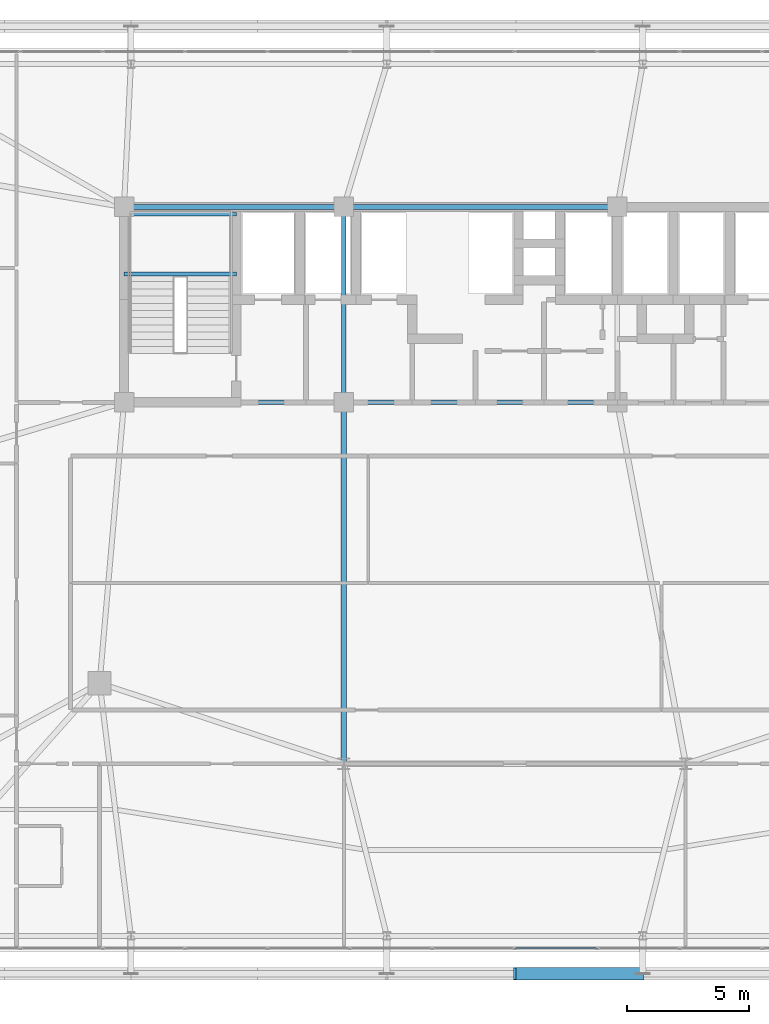
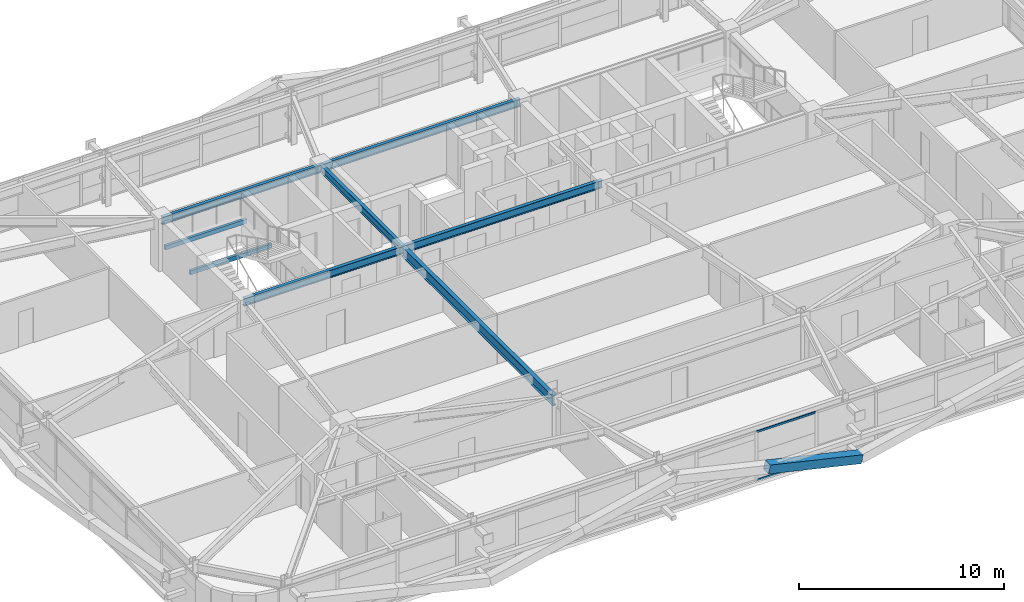
# One storey, part 19 of 59: 8 beams, 3 members, 1 element without a shape of its own.
"""IFC4 building model written with IfcOpenShell, lengths in metres."""

from ifc_helpers import new_model, si_unit, direction, frame, origin, origin_2d, place, context, subcontext, project, spatial, hollow_rectangle, i_section, extrude, source, transform, mapped, material, layer, layer_set, material_profile, profile_set, type_object, element, aggregate, save


model = new_model("IFC4")

# Units and contexts
model_context = context("Model", 3, precision=1e-05, world=origin(), true_north=direction((0.0, 1.0)))
body_context = subcontext(model_context, "Body", "Model", "MODEL_VIEW")
ifc_project = project(units=[si_unit("LENGTHUNIT", "METRE"), si_unit("AREAUNIT", "SQUARE_METRE"), si_unit("VOLUMEUNIT", "CUBIC_METRE"), si_unit("PLANEANGLEUNIT", "RADIAN"), si_unit("MASSUNIT", "GRAM", prefix="KILO")], contexts=[model_context])

# Site, building, storey
site_placement = place(None, origin())
site = spatial("IfcSite", under=ifc_project, at=site_placement, CompositionType="ELEMENT")
building_placement = place(site_placement, origin())
building = spatial("IfcBuilding", under=site, at=building_placement, Name="Taldren Reach Tower", CompositionType="ELEMENT")
storey_placement = place(building_placement, frame((0.0, 0.0, 26.25)))
storey = spatial("IfcBuildingStorey", under=building, at=storey_placement, Name="L07", CompositionType="ELEMENT", Elevation=26.25)

# Beams
ifc_material_1 = material(Name="Steel Gr 350 (350PLUS)", Category="steel")
ifc_material_profile_1 = material_profile(ifc_material_1, i_section(OverallWidth=0.19091796875, OverallDepth=0.4599609375, WebThickness=0.010009765625, FlangeThickness=0.01611328125, at=origin_2d()), Name="460UB82.1")
ifc_profile_set_1 = profile_set([ifc_material_profile_1], Name="Steel Gr 350 (350PLUS)")
beam_type_1 = type_object("IfcBeamType", Name="BM-UB460A", PredefinedType="BEAM", material=ifc_profile_set_1)
shared_shape_1 = source(origin(), body_context, "Body", "SweptSolid", [
    extrude(i_section(OverallWidth=0.19091796875, OverallDepth=0.4599609375, WebThickness=0.010009765625, FlangeThickness=0.01611328125, at=origin_2d()), origin(), (0.0, 0.0, 1.0), 9.0),
])
for number, where, z_axis, x_axis, name in (
    (1, (19.0, 24.0, 2.699951171875), (1.0, 0.0, 0.0), (0.0, 1.0, 0.0), "Core-spine girder L07-SP01"),
    (2, (19.0, 32.0, 2.699951171875), (1.0, 0.0, 0.0), (0.0, 1.0, 0.0), "Core-spine girder L07-SP04"),
):
    element("IfcBeam", number, at=place(storey_placement, frame(where, z_axis=z_axis, x_axis=x_axis)), inside=storey, type_object=beam_type_1, Name=name, PredefinedType="BEAM", context=body_context, shape_type="MappedRepresentation", body=[
        mapped(shared_shape_1, transform((0.0, 0.0, 0.0), scale=1.0)),
    ])
shared_shape_2 = source(origin(), body_context, "Body", "SweptSolid", [
    extrude(i_section(OverallWidth=0.19091796875, OverallDepth=0.4599609375, WebThickness=0.010009765625, FlangeThickness=0.01611328125, at=origin_2d()), origin(), (0.0, 0.0, 1.0), 11.199951171875),
])
for number, where, z_axis, x_axis, name in (
    (3, (28.0, 24.0, 2.699951171875), (1.0, 0.0, 0.0), (0.0, 1.0, 0.0), "Core-spine girder L07-SP02"),
    (4, (28.0, 32.0, 2.699951171875), (1.0, 0.0, 0.0), (0.0, 1.0, 0.0), "Core-spine girder L07-SP05"),
):
    element("IfcBeam", number, at=place(storey_placement, frame(where, z_axis=z_axis, x_axis=x_axis)), inside=storey, type_object=beam_type_1, Name=name, PredefinedType="BEAM", context=body_context, shape_type="MappedRepresentation", body=[
        mapped(shared_shape_2, transform((0.0, 0.0, 0.0), scale=1.0)),
    ])
shared_shape_3 = source(origin(), body_context, "Body", "SweptSolid", [
    extrude(i_section(OverallWidth=0.19091796875, OverallDepth=0.4599609375, WebThickness=0.010009765625, FlangeThickness=0.01611328125, at=origin_2d()), origin(), (0.0, 0.0, 1.0), 8.0),
])
beam_1_placement = place(storey_placement, frame((28.0, 24.0, 2.699951171875), z_axis=(0.0, 1.0, 0.0), x_axis=(-1.0, 0.0, 0.0)))
element("IfcBeam", 5, at=beam_1_placement, inside=storey, type_object=beam_type_1, Name="Core-spine girder L07-SP07", PredefinedType="BEAM", context=body_context, shape_type="MappedRepresentation", body=[
    mapped(shared_shape_3, transform((0.0, 0.0, 0.0), scale=1.0)),
])
ifc_material_profile_2 = material_profile(ifc_material_1, i_section(OverallWidth=0.22802734375, OverallDepth=0.60205078125, WebThickness=0.010498046875, FlangeThickness=0.014892578125, at=origin_2d()), Name="610UB101")
ifc_profile_set_2 = profile_set([ifc_material_profile_2], Name="Steel Gr 350 (350PLUS)")
beam_type_2 = type_object("IfcBeamType", Name="BM-UB610B", PredefinedType="BEAM", material=ifc_profile_set_2)
shared_shape_4 = source(origin(), body_context, "Body", "SweptSolid", [
    extrude(i_section(OverallWidth=0.22802734375, OverallDepth=0.60205078125, WebThickness=0.010498046875, FlangeThickness=0.014892578125, at=origin_2d()), origin(), (0.0, 0.0, 1.0), 14.800048828125),
])
beam_2_placement = place(storey_placement, frame((28.0, 24.0, 2.62890625), z_axis=(0.0, -1.0, 0.0), x_axis=(1.0, 0.0, 0.0)))
element("IfcBeam", 6, at=beam_2_placement, inside=storey, type_object=beam_type_2, Name="Core-spine girder L07-SP14", PredefinedType="BEAM", context=body_context, shape_type="MappedRepresentation", body=[
    mapped(shared_shape_4, transform((0.0, 0.0, 0.0), scale=1.0)),
])

# Member
ifc_material_2 = material(Name="Steel Gr 450 (C450L0)", Category="steel")
ifc_material_profile_3 = material_profile(ifc_material_2, hollow_rectangle(XDim=0.510009765625, YDim=0.510009765625, WallThickness=0.02001953125, at=origin_2d()), Name="510x510x20.0SHS")
ifc_profile_set_3 = profile_set([ifc_material_profile_3], Name="Steel Gr 450 (C450L0)")
member_type_1 = type_object("IfcMemberType", Name="MB-EXO508", PredefinedType="BRACE", material=ifc_profile_set_3)
shared_shape_5 = source(origin(), body_context, "Body", "SweptSolid", [
    extrude(hollow_rectangle(XDim=0.510009765625, YDim=0.510009765625, WallThickness=0.02001953125, at=origin_2d()), origin(), (0.0, 0.0, 1.0), 5.37890625),
])
member_1_placement = place(storey_placement, frame((40.239990234375, 0.60009765625, 0.219970703125), z_axis=(-0.97415197996, 0.0, 0.225893603143), x_axis=(0.0, -1.0, 0.0)))
element("IfcMember", 7, at=member_1_placement, inside=storey, type_object=member_type_1, Name="Exoskeleton Diagrid Brace B1-S3 L07", PredefinedType="BRACE", context=body_context, shape_type="MappedRepresentation", body=[
    mapped(shared_shape_5, transform((0.0, 0.0, 0.0), scale=1.0)),
])

# Curtain wall, members
ifc_material_3 = material(Name="Aluminium and Low-E Glass Unitised System", Category="aluminium")
ifc_layer = layer(ifc_material_3, 0.159912109375)
ifc_layer_set = layer_set([ifc_layer], Name="Aluminium and Low-E Glass Unitised System")
curtain_wall_type = type_object("IfcCurtainWallType", Name="CW-SYS-2", PredefinedType="NOTDEFINED", material=ifc_layer_set)
curtain_wall_placement = place(storey_placement, origin())
curtain_wall = element("IfcCurtainWall", 8, at=curtain_wall_placement, inside=storey, type_object=curtain_wall_type, Name="Unitised curtain wall CW-L07-S", PredefinedType="NOTDEFINED")
ifc_material_4 = material(Name="Anodised Aluminium 6063-T6", Category="aluminium")
ifc_material_profile_4 = material_profile(ifc_material_4, hollow_rectangle(XDim=0.054931640625, YDim=0.1201171875, WallThickness=0.0029296875, at=origin_2d()), Name="ALU-120x55x3RHS")
ifc_profile_set_4 = profile_set([ifc_material_profile_4], Name="Anodised Aluminium 6063-T6")
member_type_2 = type_object("IfcMemberType", Name="CW-TRN-135", PredefinedType="USERDEFINED", material=ifc_profile_set_4)
shared_shape_6 = source(origin(), body_context, "Body", "SweptSolid", [
    extrude(hollow_rectangle(XDim=0.054931640625, YDim=0.1201171875, WallThickness=0.0029296875, at=origin_2d()), origin(), (0.0, 0.0, 1.0), 3.31005859375),
])
member_2_placement = place(storey_placement, frame((35.032470703125, 1.639892578125, 0.027587890625), z_axis=(1.0, 0.0, 0.0), x_axis=(0.0, 1.0, 0.0)))
member_2 = element("IfcMember", 9, at=member_2_placement, type_object=member_type_2, Name="CW-2 transom 9.1", ObjectType="TRANSOM", PredefinedType="USERDEFINED", context=body_context, shape_type="MappedRepresentation", body=[
    mapped(shared_shape_6, transform((0.0, 0.0, 0.0), scale=1.0)),
])
member_3_placement = place(storey_placement, frame((35.032470703125, 1.639892578125, 2.902587890625), z_axis=(1.0, 0.0, 0.0), x_axis=(0.0, 1.0, 0.0)))
member_3 = element("IfcMember", 10, at=member_3_placement, type_object=member_type_2, Name="CW-2 transom 9.2", ObjectType="TRANSOM", PredefinedType="USERDEFINED", context=body_context, shape_type="MappedRepresentation", body=[
    mapped(shared_shape_6, transform((0.0, 0.0, 0.0), scale=1.0)),
])
aggregate(curtain_wall, [member_2, member_3])

# Beams
ifc_material_5 = material(Name="Steel Gr 350 (C350L0)", Category="steel")
ifc_material_profile_5 = material_profile(ifc_material_5, hollow_rectangle(XDim=0.14990234375, YDim=0.25, WallThickness=0.009033203125, at=origin_2d()), Name="250x150x9.0RHS")
ifc_profile_set_5 = profile_set([ifc_material_profile_5], Name="Steel Gr 350 (C350L0)")
beam_type_3 = type_object("IfcBeamType", Name="LN-RHS250", PredefinedType="LINTEL", material=ifc_profile_set_5)
shared_shape_7 = source(origin(), body_context, "Body", "SweptSolid", [
    extrude(hollow_rectangle(XDim=0.14990234375, YDim=0.25, WallThickness=0.009033203125, at=origin_2d()), origin(), (0.0, 0.0, 1.0), 4.60009765625),
])
for number, where, z_axis, x_axis, name in (
    (11, (19.0, 29.2548828125, 1.27001953125), (1.0, 0.0, 0.0), (0.0, 1.0, 0.0), "Stair half-landing support beam ST1-L07-1"),
    (12, (19.0, 31.699951171875, 1.27001953125), (1.0, 0.0, 0.0), (0.0, 1.0, 0.0), "Stair half-landing support beam ST1-L07-2"),
):
    element("IfcBeam", number, at=place(storey_placement, frame(where, z_axis=z_axis, x_axis=x_axis)), inside=storey, type_object=beam_type_3, Name=name, PredefinedType="LINTEL", context=body_context, shape_type="MappedRepresentation", body=[
        mapped(shared_shape_7, transform((0.0, 0.0, 0.0), scale=1.0)),
    ])

save(model, "model.ifc")
